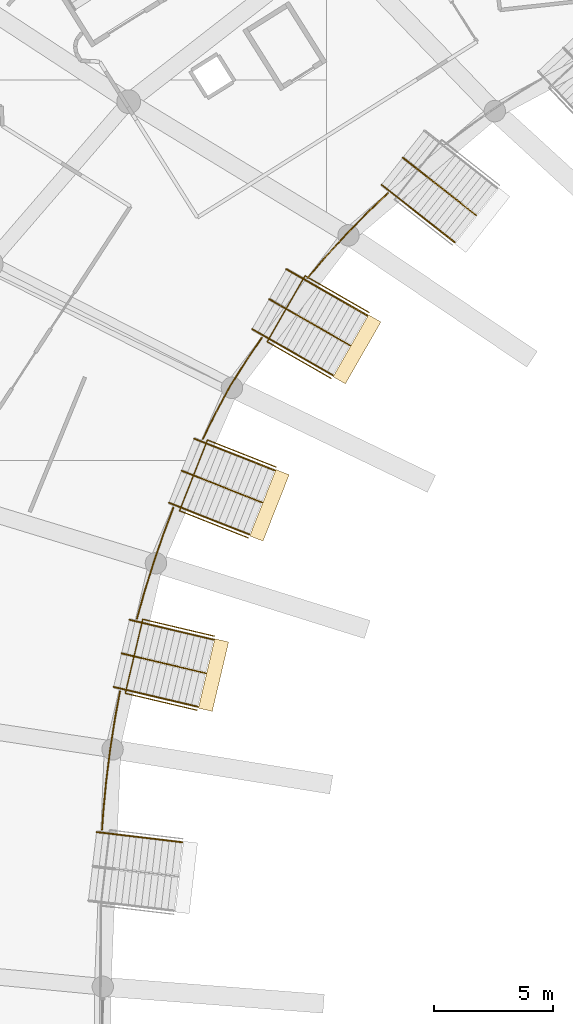
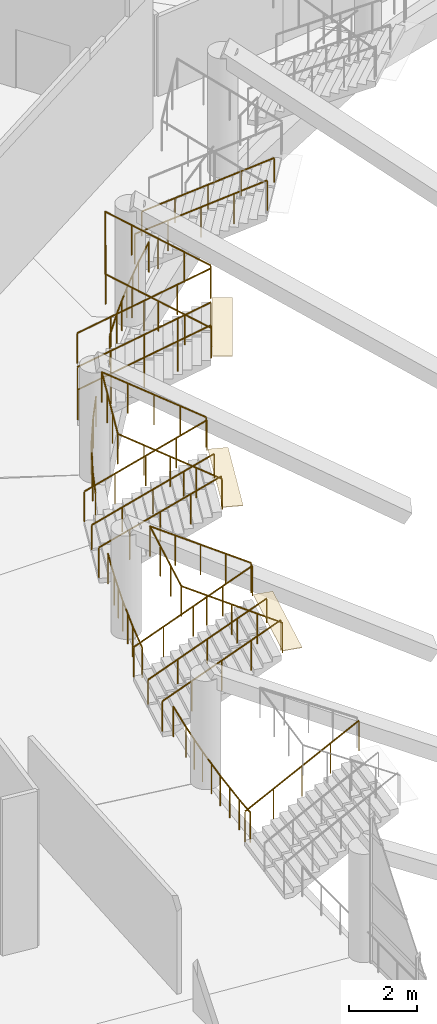
# One storey, part 149 of 173: 19 railings, 3 coverings.
"""IFC4 building model written with IfcOpenShell, lengths in metres."""

from ifc_helpers import new_model, si_unit, direction, frame, origin, origin_2d, place, context, subcontext, project, spatial, rectangle, circle, extrude, material, layer, layer_set, type_object, element, save


model = new_model("IFC4")

# Units and contexts
model_context = context("Model", 3, precision=1e-05, world=origin(), true_north=direction((0.0, 1.0)))
body_context = subcontext(model_context, "Body", "Model", "MODEL_VIEW")
ifc_project = project(units=[si_unit("LENGTHUNIT", "METRE"), si_unit("AREAUNIT", "SQUARE_METRE"), si_unit("VOLUMEUNIT", "CUBIC_METRE"), si_unit("PLANEANGLEUNIT", "RADIAN"), si_unit("MASSUNIT", "GRAM", prefix="KILO")], contexts=[model_context])

# Site, building, storey
site_placement = place(None, origin())
site = spatial("IfcSite", under=ifc_project, at=site_placement, CompositionType="ELEMENT")
building_placement = place(site_placement, origin())
building = spatial("IfcBuilding", under=site, at=building_placement, Name="Meseta Stadium", CompositionType="ELEMENT")
storey_placement = place(building_placement, frame((0.0, 0.0, 18.0)))
storey = spatial("IfcBuildingStorey", under=building, at=storey_placement, Name="L03", CompositionType="ELEMENT", Elevation=18.0)

# Railings
ifc_material_1 = material(Name="Steel S355", Category="steel")
railing_type_1 = type_object("IfcRailingType", Name="Plate edge guard 1100", PredefinedType="GUARDRAIL", material=ifc_material_1)
railing_1_placement = place(storey_placement, frame((-61.413818359375, 75.23828125, 0.0)))
element("IfcRailing", 1, at=railing_1_placement, inside=storey, type_object=railing_type_1, Name="L03 inner edge guard 26", PredefinedType="GUARDRAIL", context=body_context, shape_type="SweptSolid", body=[
    extrude(circle(Radius=0.02490234375, at=origin_2d()), frame((0.0, 0.0, 1.0751953125), z_axis=(-0.726425386397, -0.68724534047, 0.0), x_axis=(0.68724534047, -0.726425386397, 0.0)), (0.0, 0.0, 1.0), 1.07177734375),
    extrude(circle(Radius=0.02490234375, at=origin_2d()), frame((-0.778564453125, -0.736572265625, 1.0751953125), z_axis=(-0.70166634323, -0.71250567912, 0.0), x_axis=(0.71250567912, -0.70166634323, 0.0)), (0.0, 0.0, 1.0), 1.351318359375),
    extrude(circle(Radius=0.02490234375, at=origin_2d()), frame((-1.726806640625, -1.699462890625, 1.0751953125), z_axis=(-0.675732807899, -0.737146642351, 0.0), x_axis=(0.737146642351, -0.675732807899, 0.0)), (0.0, 0.0, 1.0), 1.3515625),
    extrude(circle(Radius=0.02490234375, at=origin_2d()), frame((-2.64013671875, -2.69580078125, 1.0751953125), z_axis=(-0.649110992878, -0.760693709009, 0.0), x_axis=(0.760693709009, -0.649110992878, 0.0)), (0.0, 0.0, 1.0), 1.1376953125),
    extrude(circle(Radius=0.02001953125, at=origin_2d()), origin(), (0.0, 0.0, 1.0), 1.050048828125),
    extrude(circle(Radius=0.02001953125, at=origin_2d()), frame((-0.778564453125, -0.736572265625, 0.0)), (0.0, 0.0, 1.0), 1.050048828125),
    extrude(circle(Radius=0.02001953125, at=origin_2d()), frame((-1.252685546875, -1.218017578125, 0.0)), (0.0, 0.0, 1.0), 1.050048828125),
    extrude(circle(Radius=0.02001953125, at=origin_2d()), frame((-1.726806640625, -1.699462890625, 0.0)), (0.0, 0.0, 1.0), 1.050048828125),
    extrude(circle(Radius=0.02001953125, at=origin_2d()), frame((-2.18359375, -2.19775390625, 0.0)), (0.0, 0.0, 1.0), 1.050048828125),
    extrude(circle(Radius=0.02001953125, at=origin_2d()), frame((-2.64013671875, -2.69580078125, 0.0)), (0.0, 0.0, 1.0), 1.050048828125),
    extrude(circle(Radius=0.02001953125, at=origin_2d()), frame((-3.378662109375, -3.561279296875, 0.0)), (0.0, 0.0, 1.0), 1.050048828125),
])
railing_2_placement = place(storey_placement, frame((-66.71533203125, 69.15966796875, 0.0)))
element("IfcRailing", 2, at=railing_2_placement, inside=storey, type_object=railing_type_1, Name="L03 inner edge guard 27", PredefinedType="GUARDRAIL", context=body_context, shape_type="SweptSolid", body=[
    extrude(circle(Radius=0.02490234375, at=origin_2d()), frame((0.0, 0.0, 1.0751953125), z_axis=(-0.564349465999, -0.825535995718, 0.0), x_axis=(0.825535995718, -0.564349465999, 0.0)), (0.0, 0.0, 1.0), 1.099365234375),
    extrude(circle(Radius=0.02490234375, at=origin_2d()), frame((-0.620361328125, -0.907470703125, 1.0751953125), z_axis=(-0.534386629264, -0.845240161412, 0.0), x_axis=(0.845240161412, -0.534386629264, 0.0)), (0.0, 0.0, 1.0), 1.353271484375),
    extrude(circle(Radius=0.02490234375, at=origin_2d()), frame((-1.343505859375, -2.05126953125, 1.0751953125), z_axis=(-0.474854769411, -0.880064172642, 0.0), x_axis=(0.880064172642, -0.474854769411, 0.0)), (0.0, 0.0, 1.0), 1.349609375),
    extrude(circle(Radius=0.02490234375, at=origin_2d()), frame((-1.984375, -3.239013671875, 1.0751953125), z_axis=(-0.435753199463, -0.900066191542, 0.0), x_axis=(0.900066191542, -0.435753199463, 0.0)), (0.0, 0.0, 1.0), 1.12841796875),
    extrude(circle(Radius=0.02001953125, at=origin_2d()), origin(), (0.0, 0.0, 1.0), 1.050048828125),
    extrude(circle(Radius=0.02001953125, at=origin_2d()), frame((-0.620361328125, -0.907470703125, 0.0)), (0.0, 0.0, 1.0), 1.050048828125),
    extrude(circle(Radius=0.02001953125, at=origin_2d()), frame((-0.98193359375, -1.4794921875, 0.0)), (0.0, 0.0, 1.0), 1.050048828125),
    extrude(circle(Radius=0.02001953125, at=origin_2d()), frame((-1.343505859375, -2.05126953125, 0.0)), (0.0, 0.0, 1.0), 1.050048828125),
    extrude(circle(Radius=0.02001953125, at=origin_2d()), frame((-1.6640625, -2.64501953125, 0.0)), (0.0, 0.0, 1.0), 1.050048828125),
    extrude(circle(Radius=0.02001953125, at=origin_2d()), frame((-1.984375, -3.239013671875, 0.0)), (0.0, 0.0, 1.0), 1.050048828125),
    extrude(circle(Radius=0.02001953125, at=origin_2d()), frame((-2.47607421875, -4.254638671875, 0.0)), (0.0, 0.0, 1.0), 1.050048828125),
])
railing_3_placement = place(storey_placement, frame((-70.4326171875, 62.01904296875, 0.0)))
element("IfcRailing", 3, at=railing_3_placement, inside=storey, type_object=railing_type_1, Name="L03 inner edge guard 28", PredefinedType="GUARDRAIL", context=body_context, shape_type="SweptSolid", body=[
    extrude(circle(Radius=0.02490234375, at=origin_2d()), frame((0.0, 0.0, 1.0751953125), z_axis=(-0.353866131531, -0.935296081974, 0.0), x_axis=(0.935296081974, -0.353866131531, 0.0)), (0.0, 0.0, 1.0), 1.111572265625),
    extrude(circle(Radius=0.02490234375, at=origin_2d()), frame((-0.393310546875, -1.03955078125, 1.0751953125), z_axis=(-0.326287243455, -0.945270667459, 0.0), x_axis=(0.945270667459, -0.326287243455, 0.0)), (0.0, 0.0, 1.0), 1.344482421875),
    extrude(circle(Radius=0.02490234375, at=origin_2d()), frame((-0.83203125, -2.310546875, 1.0751953125), z_axis=(-0.298140588416, -0.954521969123, 0.0), x_axis=(0.954521969123, -0.298140588416, 0.0)), (0.0, 0.0, 1.0), 1.344482421875),
    extrude(circle(Radius=0.02490234375, at=origin_2d()), frame((-1.23291015625, -3.593994140625, 1.0751953125), z_axis=(-0.269727135959, -0.9629367955, 0.0), x_axis=(0.9629367955, -0.269727135959, 0.0)), (0.0, 0.0, 1.0), 1.117919921875),
    extrude(circle(Radius=0.02001953125, at=origin_2d()), origin(), (0.0, 0.0, 1.0), 1.050048828125),
    extrude(circle(Radius=0.02001953125, at=origin_2d()), frame((-0.393310546875, -1.03955078125, 0.0)), (0.0, 0.0, 1.0), 1.050048828125),
    extrude(circle(Radius=0.02001953125, at=origin_2d()), frame((-0.61279296875, -1.675048828125, 0.0)), (0.0, 0.0, 1.0), 1.050048828125),
    extrude(circle(Radius=0.02001953125, at=origin_2d()), frame((-0.83203125, -2.310546875, 0.0)), (0.0, 0.0, 1.0), 1.050048828125),
    extrude(circle(Radius=0.02001953125, at=origin_2d()), frame((-1.032470703125, -2.9521484375, 0.0)), (0.0, 0.0, 1.0), 1.050048828125),
    extrude(circle(Radius=0.02001953125, at=origin_2d()), frame((-1.23291015625, -3.593994140625, 0.0)), (0.0, 0.0, 1.0), 1.050048828125),
    extrude(circle(Radius=0.02001953125, at=origin_2d()), frame((-1.534423828125, -4.67041015625, 0.0)), (0.0, 0.0, 1.0), 1.050048828125),
])
railing_4_placement = place(storey_placement, frame((-72.678955078125, 54.290283203125, 0.0)))
element("IfcRailing", 4, at=railing_4_placement, inside=storey, type_object=railing_type_1, Name="L03 inner edge guard 29", PredefinedType="GUARDRAIL", context=body_context, shape_type="SweptSolid", body=[
    extrude(circle(Radius=0.02490234375, at=origin_2d()), frame((0.0, 0.0, 1.0751953125), z_axis=(-0.18318241136, -0.983078940965, 0.0), x_axis=(0.983078940965, -0.18318241136, 0.0)), (0.0, 0.0, 1.0), 1.11962890625),
    extrude(circle(Radius=0.02490234375, at=origin_2d()), frame((-0.205078125, -1.1005859375, 1.0751953125), z_axis=(-0.154144257928, -0.98804835294, 0.0), x_axis=(0.98804835294, -0.154144257928, 0.0)), (0.0, 0.0, 1.0), 1.3447265625),
    extrude(circle(Radius=0.02490234375, at=origin_2d()), frame((-0.412353515625, -2.42919921875, 1.0751953125), z_axis=(-0.124704937737, -0.99219387143, 0.0), x_axis=(0.99219387143, -0.124704937737, 0.0)), (0.0, 0.0, 1.0), 1.344970703125),
    extrude(circle(Radius=0.02490234375, at=origin_2d()), frame((-0.580078125, -3.763671875, 1.0751953125), z_axis=(-0.095280129847, -0.995450499451, 0.0), x_axis=(0.995450499451, -0.095280129847, 0.0)), (0.0, 0.0, 1.0), 1.34521484375),
    extrude(circle(Radius=0.02490234375, at=origin_2d()), frame((-0.708251953125, -5.102783203125, 1.0751953125), z_axis=(-0.065669617645, -0.997841420927, 0.0), x_axis=(0.997841420927, -0.065669617645, 0.0)), (0.0, 0.0, 1.0), 0.724853515625),
    extrude(circle(Radius=0.02001953125, at=origin_2d()), origin(), (0.0, 0.0, 1.0), 1.050048828125),
    extrude(circle(Radius=0.02001953125, at=origin_2d()), frame((-0.205078125, -1.1005859375, 0.0)), (0.0, 0.0, 1.0), 1.050048828125),
    extrude(circle(Radius=0.02001953125, at=origin_2d()), frame((-0.30859375, -1.764892578125, 0.0)), (0.0, 0.0, 1.0), 1.050048828125),
    extrude(circle(Radius=0.02001953125, at=origin_2d()), frame((-0.412353515625, -2.42919921875, 0.0)), (0.0, 0.0, 1.0), 1.050048828125),
    extrude(circle(Radius=0.02001953125, at=origin_2d()), frame((-0.49609375, -3.096435546875, 0.0)), (0.0, 0.0, 1.0), 1.050048828125),
    extrude(circle(Radius=0.02001953125, at=origin_2d()), frame((-0.580078125, -3.763671875, 0.0)), (0.0, 0.0, 1.0), 1.050048828125),
    extrude(circle(Radius=0.02001953125, at=origin_2d()), frame((-0.64404296875, -4.43310546875, 0.0)), (0.0, 0.0, 1.0), 1.050048828125),
    extrude(circle(Radius=0.02001953125, at=origin_2d()), frame((-0.708251953125, -5.102783203125, 0.0)), (0.0, 0.0, 1.0), 1.050048828125),
    extrude(circle(Radius=0.02001953125, at=origin_2d()), frame((-0.755859375, -5.826171875, 0.0)), (0.0, 0.0, 1.0), 1.050048828125),
])

# Coverings
ifc_material_2 = material(Name="Stone paving", Category="masonry")
ifc_layer = layer(ifc_material_2, 0.02001953125)
ifc_layer_set = layer_set([ifc_layer], Name="Vomitory exit threshold plate 20")
covering_type = type_object("IfcCoveringType", Name="Vomitory exit threshold plate 20", PredefinedType="FLOORING", material=ifc_layer_set)
for number, where, z_axis, x_axis, name in (
    (5, (-62.7119140625, 68.675537109375, 2.454833984375), (0.0, 0.0, 1.0), (0.867711670531, -0.497067859376, 0.0), "Vomitory V-upper-26 exit threshold"),
    (6, (-66.393310546875, 62.11376953125, 2.33056640625), (0.0, 0.0, 1.0), (0.930263326339, -0.366892550576, 0.0), "Vomitory V-upper-27 exit threshold"),
    (7, (-68.74658203125, 54.975341796875, 2.330810546875), (0.0, 0.0, 1.0), (0.973256309483, -0.229721910255, 0.0), "Vomitory V-upper-28 exit threshold"),
):
    element("IfcCovering", number, at=place(storey_placement, frame(where, z_axis=z_axis, x_axis=x_axis)), inside=storey, type_object=covering_type, Name=name, PredefinedType="FLOORING", context=body_context, shape_type="SweptSolid", body=[
        extrude(rectangle(XDim=0.60009765625, YDim=3.0, at=origin_2d()), origin(), (0.0, 0.0, 1.0), 0.02001953125),
    ])

# Railings
ifc_material_3 = material(Name="Steel S355", Category="steel")
railing_type_2 = type_object("IfcRailingType", Name="Vomitory slot guard 1100", PredefinedType="GUARDRAIL", material=ifc_material_3)
railing_5_placement = place(storey_placement, frame((-63.797119140625, 67.453369140625, 2.474853515625)))
element("IfcRailing", 8, at=railing_5_placement, inside=storey, type_object=railing_type_2, Name="Vomitory V-upper-26 slot guard", PredefinedType="GUARDRAIL", context=body_context, shape_type="SweptSolid", body=[
    extrude(circle(Radius=0.02490234375, at=origin_2d()), frame((0.0, 0.0, 1.0751953125), z_axis=(-0.735834226507, 0.421478471908, 0.530003668684), x_axis=(-0.49702922619, -0.867733800375, 0.0)), (0.0, 0.0, 1.0), 3.655517578125),
    extrude(circle(Radius=0.02490234375, at=origin_2d()), frame((-2.68994140625, 1.540771484375, 3.0126953125), z_axis=(0.497124557531, 0.867679188583, 0.0), x_axis=(-0.867679188583, 0.497124557531, 0.0)), (0.0, 0.0, 1.0), 3.199951171875),
    extrude(circle(Radius=0.02490234375, at=origin_2d()), frame((-1.09912109375, 4.3173828125, 3.0126953125), z_axis=(0.735834226507, -0.421478471908, -0.530003668684), x_axis=(0.49702922619, 0.867733800375, 0.0)), (0.0, 0.0, 1.0), 3.655517578125),
    extrude(circle(Radius=0.02001953125, at=origin_2d()), origin(), (0.0, 0.0, 1.0), 1.050048828125),
    extrude(circle(Radius=0.02001953125, at=origin_2d()), frame((-0.67236328125, 0.38525390625, 0.484375)), (0.0, 0.0, 1.0), 1.050048828125),
    extrude(circle(Radius=0.02001953125, at=origin_2d()), frame((-1.344970703125, 0.7705078125, 0.96875)), (0.0, 0.0, 1.0), 1.050048828125),
    extrude(circle(Radius=0.02001953125, at=origin_2d()), frame((-2.017578125, 1.155517578125, 1.453125)), (0.0, 0.0, 1.0), 1.050048828125),
    extrude(circle(Radius=0.02001953125, at=origin_2d()), frame((-2.68994140625, 1.540771484375, 1.9375)), (0.0, 0.0, 1.0), 1.050048828125),
    extrude(circle(Radius=0.02001953125, at=origin_2d()), frame((-2.15966796875, 2.46630859375, 1.9375)), (0.0, 0.0, 1.0), 1.050048828125),
    extrude(circle(Radius=0.02001953125, at=origin_2d()), frame((-1.62939453125, 3.391845703125, 1.9375)), (0.0, 0.0, 1.0), 1.050048828125),
    extrude(circle(Radius=0.02001953125, at=origin_2d()), frame((-1.09912109375, 4.3173828125, 1.9375)), (0.0, 0.0, 1.0), 1.050048828125),
    extrude(circle(Radius=0.02001953125, at=origin_2d()), frame((-0.4267578125, 3.93212890625, 1.453125)), (0.0, 0.0, 1.0), 1.050048828125),
    extrude(circle(Radius=0.02001953125, at=origin_2d()), frame((0.245849609375, 3.546875, 0.96875)), (0.0, 0.0, 1.0), 1.050048828125),
    extrude(circle(Radius=0.02001953125, at=origin_2d()), frame((0.91845703125, 3.161865234375, 0.484375)), (0.0, 0.0, 1.0), 1.050048828125),
    extrude(circle(Radius=0.02001953125, at=origin_2d()), frame((1.5908203125, 2.776611328125, 0.0)), (0.0, 0.0, 1.0), 1.050048828125),
])
railing_6_placement = place(storey_placement, frame((-67.291015625, 60.747802734375, 2.3505859375)))
element("IfcRailing", 9, at=railing_6_placement, inside=storey, type_object=railing_type_2, Name="Vomitory V-upper-27 slot guard", PredefinedType="GUARDRAIL", context=body_context, shape_type="SweptSolid", body=[
    extrude(circle(Radius=0.02490234375, at=origin_2d()), frame((0.0, 0.0, 1.0751953125), z_axis=(-0.788853250074, 0.311146909253, 0.529998255383), x_axis=(-0.366919073757, -0.930252865254, 0.0)), (0.0, 0.0, 1.0), 3.65576171875),
    extrude(circle(Radius=0.02490234375, at=origin_2d()), frame((-2.8837890625, 1.137451171875, 3.0126953125), z_axis=(0.366900745738, 0.930260094155, 0.0), x_axis=(-0.930260094155, 0.366900745738, 0.0)), (0.0, 0.0, 1.0), 3.199951171875),
    extrude(circle(Radius=0.02490234375, at=origin_2d()), frame((-1.709716796875, 4.1142578125, 3.0126953125), z_axis=(0.788853250074, -0.311146909253, -0.529998255383), x_axis=(0.366919073757, 0.930252865254, 0.0)), (0.0, 0.0, 1.0), 3.65576171875),
    extrude(circle(Radius=0.02001953125, at=origin_2d()), origin(), (0.0, 0.0, 1.0), 1.050048828125),
    extrude(circle(Radius=0.02001953125, at=origin_2d()), frame((-0.720947265625, 0.284423828125, 0.484375)), (0.0, 0.0, 1.0), 1.050048828125),
    extrude(circle(Radius=0.02001953125, at=origin_2d()), frame((-1.44189453125, 0.56884765625, 0.96875)), (0.0, 0.0, 1.0), 1.050048828125),
    extrude(circle(Radius=0.02001953125, at=origin_2d()), frame((-2.162841796875, 0.85302734375, 1.453125)), (0.0, 0.0, 1.0), 1.050048828125),
    extrude(circle(Radius=0.02001953125, at=origin_2d()), frame((-2.8837890625, 1.137451171875, 1.9375)), (0.0, 0.0, 1.0), 1.050048828125),
    extrude(circle(Radius=0.02001953125, at=origin_2d()), frame((-2.492431640625, 2.129638671875, 1.9375)), (0.0, 0.0, 1.0), 1.050048828125),
    extrude(circle(Radius=0.02001953125, at=origin_2d()), frame((-2.10107421875, 3.1220703125, 1.9375)), (0.0, 0.0, 1.0), 1.050048828125),
    extrude(circle(Radius=0.02001953125, at=origin_2d()), frame((-1.709716796875, 4.1142578125, 1.9375)), (0.0, 0.0, 1.0), 1.050048828125),
    extrude(circle(Radius=0.02001953125, at=origin_2d()), frame((-0.98876953125, 3.829833984375, 1.453125)), (0.0, 0.0, 1.0), 1.050048828125),
    extrude(circle(Radius=0.02001953125, at=origin_2d()), frame((-0.267822265625, 3.54541015625, 0.96875)), (0.0, 0.0, 1.0), 1.050048828125),
    extrude(circle(Radius=0.02001953125, at=origin_2d()), frame((0.453125, 3.26123046875, 0.484375)), (0.0, 0.0, 1.0), 1.050048828125),
    extrude(circle(Radius=0.02001953125, at=origin_2d()), frame((1.174072265625, 2.976806640625, 0.0)), (0.0, 0.0, 1.0), 1.050048828125),
])
railing_7_placement = place(storey_placement, frame((-69.439208984375, 53.494873046875, 2.3505859375)))
element("IfcRailing", 10, at=railing_7_placement, inside=storey, type_object=railing_type_2, Name="Vomitory V-upper-28 slot guard", PredefinedType="GUARDRAIL", context=body_context, shape_type="SweptSolid", body=[
    extrude(circle(Radius=0.02490234375, at=origin_2d()), frame((0.0, 0.0, 1.0751953125), z_axis=(-0.825318396523, 0.194809335059, 0.529998931446), x_axis=(-0.229728447463, -0.973254766454, 0.0)), (0.0, 0.0, 1.0), 3.65576171875),
    extrude(circle(Radius=0.02490234375, at=origin_2d()), frame((-3.01708984375, 0.712158203125, 3.0126953125), z_axis=(0.229732459273, 0.973253819492, 0.0), x_axis=(-0.973253819492, 0.229732459273, 0.0)), (0.0, 0.0, 1.0), 3.199951171875),
    extrude(circle(Radius=0.02490234375, at=origin_2d()), frame((-2.281982421875, 3.826416015625, 3.0126953125), z_axis=(0.825329132428, -0.194745084169, -0.530005825777), x_axis=(0.22965384671, 0.973272372305, 0.0)), (0.0, 0.0, 1.0), 3.655517578125),
    extrude(circle(Radius=0.02001953125, at=origin_2d()), origin(), (0.0, 0.0, 1.0), 1.050048828125),
    extrude(circle(Radius=0.02001953125, at=origin_2d()), frame((-0.75439453125, 0.177978515625, 0.484375)), (0.0, 0.0, 1.0), 1.050048828125),
    extrude(circle(Radius=0.02001953125, at=origin_2d()), frame((-1.508544921875, 0.35595703125, 0.96875)), (0.0, 0.0, 1.0), 1.050048828125),
    extrude(circle(Radius=0.02001953125, at=origin_2d()), frame((-2.2626953125, 0.5341796875, 1.453125)), (0.0, 0.0, 1.0), 1.050048828125),
    extrude(circle(Radius=0.02001953125, at=origin_2d()), frame((-3.01708984375, 0.712158203125, 1.9375)), (0.0, 0.0, 1.0), 1.050048828125),
    extrude(circle(Radius=0.02001953125, at=origin_2d()), frame((-2.77197265625, 1.750244140625, 1.9375)), (0.0, 0.0, 1.0), 1.050048828125),
    extrude(circle(Radius=0.02001953125, at=origin_2d()), frame((-2.527099609375, 2.788330078125, 1.9375)), (0.0, 0.0, 1.0), 1.050048828125),
    extrude(circle(Radius=0.02001953125, at=origin_2d()), frame((-2.281982421875, 3.826416015625, 1.9375)), (0.0, 0.0, 1.0), 1.050048828125),
    extrude(circle(Radius=0.02001953125, at=origin_2d()), frame((-1.52783203125, 3.6484375, 1.453125)), (0.0, 0.0, 1.0), 1.050048828125),
    extrude(circle(Radius=0.02001953125, at=origin_2d()), frame((-0.7734375, 3.470458984375, 0.96875)), (0.0, 0.0, 1.0), 1.050048828125),
    extrude(circle(Radius=0.02001953125, at=origin_2d()), frame((-0.01904296875, 3.29248046875, 0.484375)), (0.0, 0.0, 1.0), 1.050048828125),
    extrude(circle(Radius=0.02001953125, at=origin_2d()), frame((0.735107421875, 3.114501953125, 0.0)), (0.0, 0.0, 1.0), 1.050048828125),
])
ifc_material_4 = material(Name="Steel S355", Category="steel")
railing_type_3 = type_object("IfcRailingType", Name="Vomitory stair guard 1100", PredefinedType="GUARDRAIL", material=ifc_material_4)
railing_8_placement = place(storey_placement, frame((-61.67919921875, 75.599365234375, 0.164794921875)))
element("IfcRailing", 11, at=railing_8_placement, inside=storey, type_object=railing_type_3, Name="Vomitory V-upper-25 guard right", PredefinedType="GUARDRAIL", context=body_context, shape_type="SweptSolid", body=[
    extrude(circle(Radius=0.02490234375, at=origin_2d()), frame((0.0, 0.0, 1.0751953125), z_axis=(0.677346786361, -0.532519171975, 0.507567396988), x_axis=(0.618049814161, 0.786138936331, 0.0)), (0.0, 0.0, 1.0), 4.5498046875),
    extrude(circle(Radius=0.02001953125, at=origin_2d()), origin(), (0.0, 0.0, 1.0), 1.050048828125),
    extrude(circle(Radius=0.02001953125, at=origin_2d()), frame((0.7705078125, -0.605712890625, 0.577392578125)), (0.0, 0.0, 1.0), 1.050048828125),
    extrude(circle(Radius=0.02001953125, at=origin_2d()), frame((1.541015625, -1.21142578125, 1.15478515625)), (0.0, 0.0, 1.0), 1.050048828125),
    extrude(circle(Radius=0.02001953125, at=origin_2d()), frame((2.311279296875, -1.817138671875, 1.73193359375)), (0.0, 0.0, 1.0), 1.050048828125),
    extrude(circle(Radius=0.02001953125, at=origin_2d()), frame((3.081787109375, -2.4228515625, 2.309326171875)), (0.0, 0.0, 1.0), 1.050048828125),
])
for number, where, name in (
    (12, (-65.682373046875, 72.04833984375, 0.1650390625), "Vomitory V-upper-26 guard left"),
    (13, (-67.123779296875, 69.531982421875, 0.1650390625), "Vomitory V-upper-26 guard right"),
):
    element("IfcRailing", number, at=place(storey_placement, frame(where)), inside=storey, type_object=railing_type_3, Name=name, PredefinedType="GUARDRAIL", context=body_context, shape_type="SweptSolid", body=[
        extrude(circle(Radius=0.02490234375, at=origin_2d()), frame((0.0, 0.0, 1.0751953125), z_axis=(0.747577774128, -0.428252814766, 0.50766819703), x_axis=(0.497070962808, 0.867709892725, 0.0)), (0.0, 0.0, 1.0), 4.5498046875),
        extrude(circle(Radius=0.02001953125, at=origin_2d()), origin(), (0.0, 0.0, 1.0), 1.050048828125),
        extrude(circle(Radius=0.02001953125, at=origin_2d()), frame((0.850341796875, -0.487060546875, 0.577392578125)), (0.0, 0.0, 1.0), 1.050048828125),
        extrude(circle(Radius=0.02001953125, at=origin_2d()), frame((1.70068359375, -0.97412109375, 1.15478515625)), (0.0, 0.0, 1.0), 1.050048828125),
        extrude(circle(Radius=0.02001953125, at=origin_2d()), frame((2.551025390625, -1.46142578125, 1.732421875)), (0.0, 0.0, 1.0), 1.050048828125),
        extrude(circle(Radius=0.02001953125, at=origin_2d()), frame((3.4013671875, -1.948486328125, 2.309814453125)), (0.0, 0.0, 1.0), 1.050048828125),
    ])
for number, where, name in (
    (14, (-69.55810546875, 64.920654296875, 0.16796875), "Vomitory V-upper-27 guard left"),
    (15, (-70.6220703125, 62.222900390625, 0.16796875), "Vomitory V-upper-27 guard right"),
):
    element("IfcRailing", number, at=place(storey_placement, frame(where)), inside=storey, type_object=railing_type_3, Name=name, PredefinedType="GUARDRAIL", context=body_context, shape_type="SweptSolid", body=[
        extrude(circle(Radius=0.02490234375, at=origin_2d()), frame((0.0, 0.0, 1.0751953125), z_axis=(0.797836414941, -0.314647814688, 0.514250724555), x_axis=(0.366876373084, 0.930269706522, 0.0)), (0.0, 0.0, 1.0), 4.244384765625),
        extrude(circle(Radius=0.02001953125, at=origin_2d()), origin(), (0.0, 0.0, 1.0), 1.050048828125),
        extrude(circle(Radius=0.02001953125, at=origin_2d()), frame((0.8466796875, -0.333984375, 0.545654296875)), (0.0, 0.0, 1.0), 1.050048828125),
        extrude(circle(Radius=0.02001953125, at=origin_2d()), frame((1.693115234375, -0.667724609375, 1.09130859375)), (0.0, 0.0, 1.0), 1.050048828125),
        extrude(circle(Radius=0.02001953125, at=origin_2d()), frame((2.53955078125, -1.00146484375, 1.636962890625)), (0.0, 0.0, 1.0), 1.050048828125),
        extrude(circle(Radius=0.02001953125, at=origin_2d()), frame((3.38623046875, -1.33544921875, 2.1826171875)), (0.0, 0.0, 1.0), 1.050048828125),
    ])
for number, where, name in (
    (16, (-72.28125, 57.299560546875, 0.16796875), "Vomitory V-upper-28 guard left"),
    (17, (-72.947509765625, 54.47705078125, 0.16796875), "Vomitory V-upper-28 guard right"),
):
    element("IfcRailing", number, at=place(storey_placement, frame(where)), inside=storey, type_object=railing_type_3, Name=name, PredefinedType="GUARDRAIL", context=body_context, shape_type="SweptSolid", body=[
        extrude(circle(Radius=0.02490234375, at=origin_2d()), frame((0.0, 0.0, 1.0751953125), z_axis=(0.834705619611, -0.197013765224, 0.514249068936), x_axis=(0.229715919179, 0.973257723563, 0.0)), (0.0, 0.0, 1.0), 4.244384765625),
        extrude(circle(Radius=0.02001953125, at=origin_2d()), origin(), (0.0, 0.0, 1.0), 1.050048828125),
        extrude(circle(Radius=0.02001953125, at=origin_2d()), frame((0.8857421875, -0.208984375, 0.545654296875)), (0.0, 0.0, 1.0), 1.050048828125),
        extrude(circle(Radius=0.02001953125, at=origin_2d()), frame((1.771484375, -0.41796875, 1.09130859375)), (0.0, 0.0, 1.0), 1.050048828125),
        extrude(circle(Radius=0.02001953125, at=origin_2d()), frame((2.656982421875, -0.627197265625, 1.636962890625)), (0.0, 0.0, 1.0), 1.050048828125),
        extrude(circle(Radius=0.02001953125, at=origin_2d()), frame((3.542724609375, -0.836181640625, 2.1826171875)), (0.0, 0.0, 1.0), 1.050048828125),
    ])
railing_9_placement = place(storey_placement, frame((-73.665283203125, 48.37060546875, 0.173583984375)))
element("IfcRailing", 18, at=railing_9_placement, inside=storey, type_object=railing_type_3, Name="Vomitory V-upper-29 guard left", PredefinedType="GUARDRAIL", context=body_context, shape_type="SweptSolid", body=[
    extrude(circle(Radius=0.02490234375, at=origin_2d()), frame((0.0, 0.0, 1.0751953125), z_axis=(0.84406440045, -0.100227302667, 0.526791966238), x_axis=(0.117915271448, 0.993023659718, 0.0)), (0.0, 0.0, 1.0), 4.2822265625),
    extrude(circle(Radius=0.02001953125, at=origin_2d()), origin(), (0.0, 0.0, 1.0), 1.050048828125),
    extrude(circle(Radius=0.02001953125, at=origin_2d()), frame((0.903564453125, -0.107421875, 0.56396484375)), (0.0, 0.0, 1.0), 1.050048828125),
    extrude(circle(Radius=0.02001953125, at=origin_2d()), frame((1.80712890625, -0.214599609375, 1.1279296875)), (0.0, 0.0, 1.0), 1.050048828125),
    extrude(circle(Radius=0.02001953125, at=origin_2d()), frame((2.7109375, -0.32177734375, 1.69189453125)), (0.0, 0.0, 1.0), 1.050048828125),
    extrude(circle(Radius=0.02001953125, at=origin_2d()), frame((3.614501953125, -0.42919921875, 2.255859375)), (0.0, 0.0, 1.0), 1.050048828125),
])
ifc_material_5 = material(Name="Steel S355", Category="steel")
railing_type_4 = type_object("IfcRailingType", Name="Vomitory stair handrail 900", PredefinedType="HANDRAIL", material=ifc_material_5)
railing_10_placement = place(storey_placement, frame((-60.782958984375, 76.7392578125, 0.164794921875)))
element("IfcRailing", 19, at=railing_10_placement, inside=storey, type_object=railing_type_4, Name="Vomitory V-upper-25 central handrail", PredefinedType="HANDRAIL", context=body_context, shape_type="SweptSolid", body=[
    extrude(circle(Radius=0.02490234375, at=origin_2d()), frame((0.0, 0.0, 0.875), z_axis=(0.677317744059, -0.532538527337, 0.507585845433), x_axis=(0.618080074529, 0.786115145173, 0.0)), (0.0, 0.0, 1.0), 4.549560546875),
    extrude(circle(Radius=0.02001953125, at=origin_2d()), origin(), (0.0, 0.0, 1.0), 0.849853515625),
    extrude(circle(Radius=0.02001953125, at=origin_2d()), frame((0.7705078125, -0.605712890625, 0.577392578125)), (0.0, 0.0, 1.0), 0.849853515625),
    extrude(circle(Radius=0.02001953125, at=origin_2d()), frame((1.540771484375, -1.21142578125, 1.15478515625)), (0.0, 0.0, 1.0), 0.849853515625),
    extrude(circle(Radius=0.02001953125, at=origin_2d()), frame((2.31103515625, -1.817138671875, 1.73193359375)), (0.0, 0.0, 1.0), 0.849853515625),
    extrude(circle(Radius=0.02001953125, at=origin_2d()), frame((3.08154296875, -2.4228515625, 2.309326171875)), (0.0, 0.0, 1.0), 0.849853515625),
])
railing_11_placement = place(storey_placement, frame((-66.4033203125, 70.7900390625, 0.1650390625)))
element("IfcRailing", 20, at=railing_11_placement, inside=storey, type_object=railing_type_4, Name="Vomitory V-upper-26 central handrail", PredefinedType="HANDRAIL", context=body_context, shape_type="SweptSolid", body=[
    extrude(circle(Radius=0.02490234375, at=origin_2d()), frame((0.0, 0.0, 0.875), z_axis=(0.747601443181, -0.428235636118, 0.507647832767), x_axis=(0.497044101051, 0.867725280034, 0.0)), (0.0, 0.0, 1.0), 4.550048828125),
    extrude(circle(Radius=0.02001953125, at=origin_2d()), origin(), (0.0, 0.0, 1.0), 0.849853515625),
    extrude(circle(Radius=0.02001953125, at=origin_2d()), frame((0.850341796875, -0.487060546875, 0.577392578125)), (0.0, 0.0, 1.0), 0.849853515625),
    extrude(circle(Radius=0.02001953125, at=origin_2d()), frame((1.70068359375, -0.97412109375, 1.15478515625)), (0.0, 0.0, 1.0), 0.849853515625),
    extrude(circle(Radius=0.02001953125, at=origin_2d()), frame((2.55126953125, -1.46142578125, 1.732421875)), (0.0, 0.0, 1.0), 0.849853515625),
    extrude(circle(Radius=0.02001953125, at=origin_2d()), frame((3.401611328125, -1.948486328125, 2.309814453125)), (0.0, 0.0, 1.0), 0.849853515625),
])
railing_12_placement = place(storey_placement, frame((-70.090087890625, 63.57177734375, 0.16796875)))
element("IfcRailing", 21, at=railing_12_placement, inside=storey, type_object=railing_type_4, Name="Vomitory V-upper-27 central handrail", PredefinedType="HANDRAIL", context=body_context, shape_type="SweptSolid", body=[
    extrude(circle(Radius=0.02490234375, at=origin_2d()), frame((0.0, 0.0, 0.875), z_axis=(0.797821973722, -0.314699640824, 0.514241416372), x_axis=(0.366934413985, 0.930246814471, 0.0)), (0.0, 0.0, 1.0), 4.244384765625),
    extrude(circle(Radius=0.02001953125, at=origin_2d()), origin(), (0.0, 0.0, 1.0), 0.849853515625),
    extrude(circle(Radius=0.02001953125, at=origin_2d()), frame((0.8466796875, -0.333984375, 0.545654296875)), (0.0, 0.0, 1.0), 0.849853515625),
    extrude(circle(Radius=0.02001953125, at=origin_2d()), frame((1.693115234375, -0.66796875, 1.09130859375)), (0.0, 0.0, 1.0), 0.849853515625),
    extrude(circle(Radius=0.02001953125, at=origin_2d()), frame((2.53955078125, -1.001708984375, 1.636962890625)), (0.0, 0.0, 1.0), 0.849853515625),
    extrude(circle(Radius=0.02001953125, at=origin_2d()), frame((3.38623046875, -1.335693359375, 2.1826171875)), (0.0, 0.0, 1.0), 0.849853515625),
])
railing_13_placement = place(storey_placement, frame((-72.6142578125, 55.88818359375, 0.16796875)))
element("IfcRailing", 22, at=railing_13_placement, inside=storey, type_object=railing_type_4, Name="Vomitory V-upper-28 central handrail", PredefinedType="HANDRAIL", context=body_context, shape_type="SweptSolid", body=[
    extrude(circle(Radius=0.02490234375, at=origin_2d()), frame((0.0, 0.0, 0.875), z_axis=(0.834688173777, -0.19702322503, 0.5142737611), x_axis=(0.229730915234, 0.973254183955, 0.0)), (0.0, 0.0, 1.0), 4.244140625),
    extrude(circle(Radius=0.02001953125, at=origin_2d()), origin(), (0.0, 0.0, 1.0), 0.849853515625),
    extrude(circle(Radius=0.02001953125, at=origin_2d()), frame((0.8857421875, -0.208984375, 0.545654296875)), (0.0, 0.0, 1.0), 0.849853515625),
    extrude(circle(Radius=0.02001953125, at=origin_2d()), frame((1.771240234375, -0.41796875, 1.09130859375)), (0.0, 0.0, 1.0), 0.849853515625),
    extrude(circle(Radius=0.02001953125, at=origin_2d()), frame((2.65673828125, -0.627197265625, 1.636962890625)), (0.0, 0.0, 1.0), 0.849853515625),
    extrude(circle(Radius=0.02001953125, at=origin_2d()), frame((3.54248046875, -0.836181640625, 2.1826171875)), (0.0, 0.0, 1.0), 0.849853515625),
])

save(model, "model.ifc")
